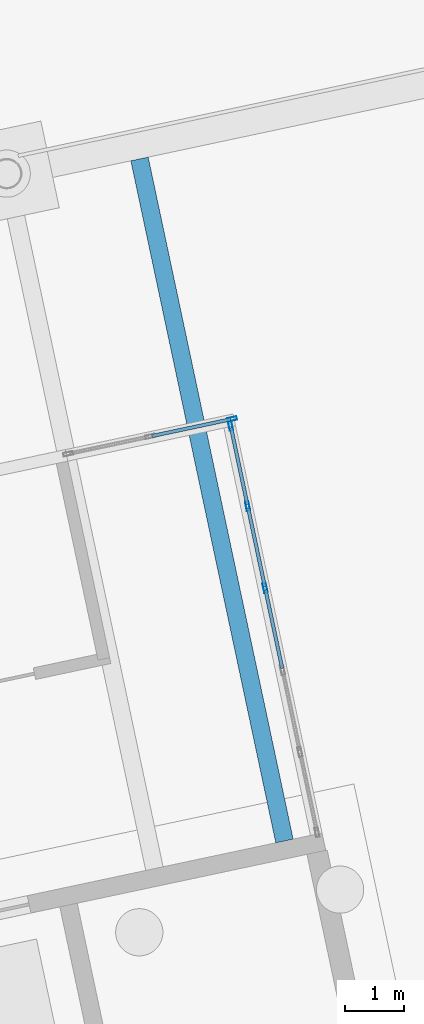
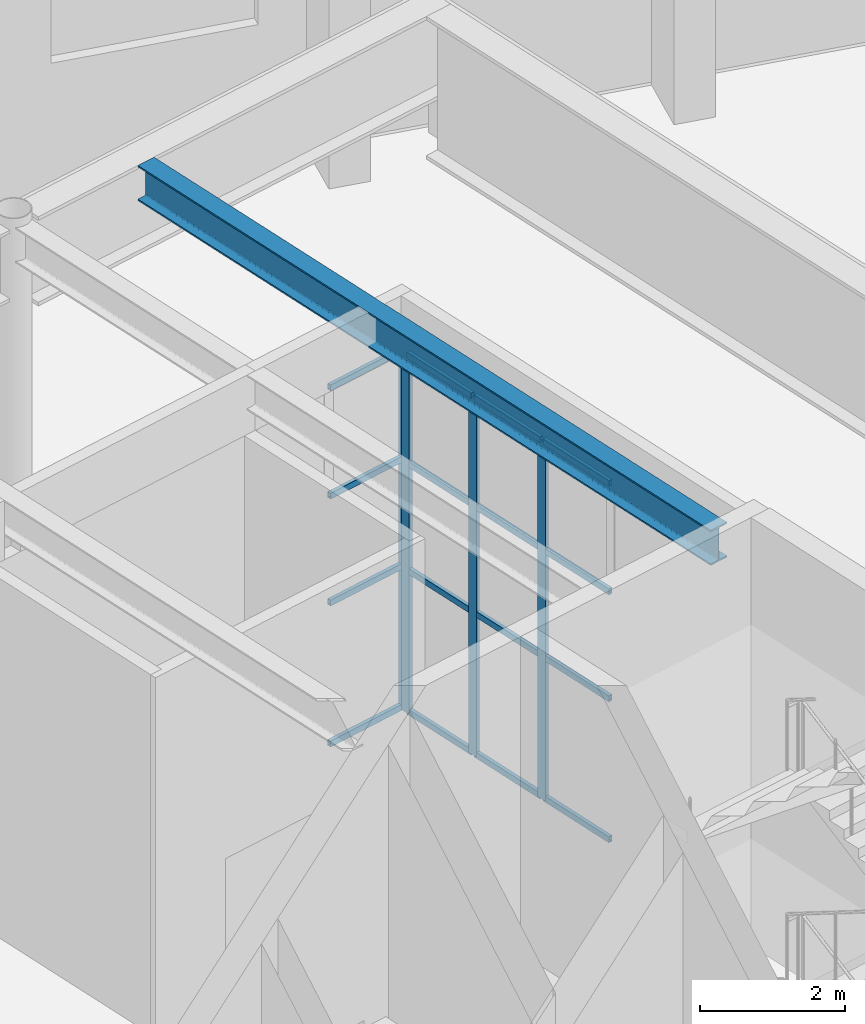
# One storey, part 123 of 239: 20 members, 1 beam, 2 elements without a shape of their own.
"""IFC4 building model written with IfcOpenShell, lengths in metres."""

from ifc_helpers import new_model, si_unit, direction, frame, origin, origin_2d, place, context, subcontext, project, spatial, hollow_rectangle, i_section, extrude, material, material_profile, profile_set, type_object, element, aggregate, save


model = new_model("IFC4")

# Units and contexts
model_context = context("Model", 3, precision=1e-05, world=origin(), true_north=direction((0.0, 1.0)))
body_context = subcontext(model_context, "Body", "Model", "MODEL_VIEW")
ifc_project = project(units=[si_unit("LENGTHUNIT", "METRE"), si_unit("AREAUNIT", "SQUARE_METRE"), si_unit("VOLUMEUNIT", "CUBIC_METRE"), si_unit("PLANEANGLEUNIT", "RADIAN"), si_unit("MASSUNIT", "GRAM", prefix="KILO")], contexts=[model_context])

# Site, building, storey
site_placement = place(None, origin())
site = spatial("IfcSite", under=ifc_project, at=site_placement, CompositionType="ELEMENT")
building_placement = place(site_placement, origin())
building = spatial("IfcBuilding", under=site, at=building_placement, Name="Okhra Congress Centre", CompositionType="ELEMENT")
storey_placement = place(building_placement, origin())
storey = spatial("IfcBuildingStorey", under=building, at=storey_placement, Name="L00", CompositionType="ELEMENT", Elevation=0.0)

# Curtain wall, member
ifc_material_1 = material(Name="Aluminium curtain wall, triple glazing", Category="aluminium")
curtain_wall_type = type_object("IfcCurtainWallType", Name="Curtain wall 1500 module", PredefinedType="NOTDEFINED", material=ifc_material_1)
curtain_wall_1_placement = place(storey_placement, origin())
curtain_wall_1 = element("IfcCurtainWall", 1, at=curtain_wall_1_placement, inside=storey, type_object=curtain_wall_type, Name="Ground curtain wall N11", PredefinedType="NOTDEFINED")
ifc_material_2 = material(Name="Aluminium alloy EN AW-6063 T66", Category="aluminium")
ifc_material_profile_1 = material_profile(ifc_material_2, hollow_rectangle(XDim=0.06005859375, YDim=0.159912109375, WallThickness=0.00390625, at=origin_2d()), Name="RHS 60x160x4")
ifc_profile_set_1 = profile_set([ifc_material_profile_1], Name="Aluminium alloy EN AW-6063 T66")
member_type_1 = type_object("IfcMemberType", Name="Curtain wall mullion 60x160", PredefinedType="MULLION", material=ifc_profile_set_1)
member_1_placement = place(storey_placement, frame((209.494384765625, 77.943115234375, 0.0), z_axis=(0.0, 0.0, 1.0), x_axis=(-0.207911690818, 0.978147600734, 0.0)))
member_1 = element("IfcMember", 2, at=member_1_placement, type_object=member_type_1, Name="CW7 mullion 3", PredefinedType="MULLION", context=body_context, shape_type="SweptSolid", body=[
    extrude(hollow_rectangle(XDim=0.06005859375, YDim=0.159912109375, WallThickness=0.00390625, at=origin_2d()), origin(), (0.0, 0.0, 1.0), 6.050048828125),
])

# Curtain wall, members
curtain_wall_2_placement = place(storey_placement, origin())
curtain_wall_2 = element("IfcCurtainWall", 3, at=curtain_wall_2_placement, inside=storey, type_object=curtain_wall_type, Name="Ground curtain wall E13", PredefinedType="NOTDEFINED")
member_2_placement = place(storey_placement, frame((210.0517578125, 75.080322265625, 0.0), z_axis=(0.0, 0.0, 1.0), x_axis=(-0.978147600734, -0.207911690818, 0.0)))
member_2 = element("IfcMember", 4, at=member_2_placement, type_object=member_type_1, Name="CW7 mullion 4", PredefinedType="MULLION", context=body_context, shape_type="SweptSolid", body=[
    extrude(hollow_rectangle(XDim=0.06005859375, YDim=0.159912109375, WallThickness=0.00390625, at=origin_2d()), origin(), (0.0, 0.0, 1.0), 6.050048828125),
])
member_3_placement = place(storey_placement, frame((209.7568359375, 76.467529296875, 0.0), z_axis=(0.0, 0.0, 1.0), x_axis=(-0.978147600734, -0.207911690818, 0.0)))
member_3 = element("IfcMember", 5, at=member_3_placement, type_object=member_type_1, Name="CW7 mullion 5", PredefinedType="MULLION", context=body_context, shape_type="SweptSolid", body=[
    extrude(hollow_rectangle(XDim=0.06005859375, YDim=0.159912109375, WallThickness=0.00390625, at=origin_2d()), origin(), (0.0, 0.0, 1.0), 6.050048828125),
])
member_4_placement = place(storey_placement, frame((209.46826171875, 77.8251953125, 0.0), z_axis=(0.0, 0.0, 1.0), x_axis=(-0.978147600734, -0.207911690818, 0.0)))
member_4 = element("IfcMember", 6, at=member_4_placement, type_object=member_type_1, Name="CW7 mullion 6", PredefinedType="MULLION", context=body_context, shape_type="SweptSolid", body=[
    extrude(hollow_rectangle(XDim=0.06005859375, YDim=0.159912109375, WallThickness=0.00390625, at=origin_2d()), origin(), (0.0, 0.0, 1.0), 6.050048828125),
])

# Member
ifc_material_profile_2 = material_profile(ifc_material_2, hollow_rectangle(XDim=0.06005859375, YDim=0.10009765625, WallThickness=0.00390625, at=origin_2d()), Name="RHS 60x100x4")
ifc_profile_set_2 = profile_set([ifc_material_profile_2], Name="Aluminium alloy EN AW-6063 T66")
member_type_2 = type_object("IfcMemberType", Name="Curtain wall transom 60x100", PredefinedType="USERDEFINED", material=ifc_profile_set_2)
member_5_placement = place(storey_placement, frame((208.134765625, 77.654052734375, 0.030029296875), z_axis=(0.978155657229, 0.207873784377, 0.0), x_axis=(-0.207873784377, 0.978155657229, 0.0)))
member_5 = element("IfcMember", 7, at=member_5_placement, type_object=member_type_2, Name="CW7 transom 2.1", ObjectType="TRANSOM", PredefinedType="USERDEFINED", context=body_context, shape_type="SweptSolid", body=[
    extrude(hollow_rectangle(XDim=0.06005859375, YDim=0.10009765625, WallThickness=0.00390625, at=origin_2d()), origin(), (0.0, 0.0, 1.0), 1.360107421875),
])

member_6_placement = place(storey_placement, frame((208.134765625, 77.654052734375, 2.39990234375), z_axis=(0.978155657229, 0.207873784377, 0.0), x_axis=(-0.207873784377, 0.978155657229, 0.0)))
member_6 = element("IfcMember", 8, at=member_6_placement, type_object=member_type_2, Name="CW7 transom 2.2", ObjectType="TRANSOM", PredefinedType="USERDEFINED", context=body_context, shape_type="SweptSolid", body=[
    extrude(hollow_rectangle(XDim=0.06005859375, YDim=0.10009765625, WallThickness=0.00390625, at=origin_2d()), origin(), (0.0, 0.0, 1.0), 1.360107421875),
])

member_7_placement = place(storey_placement, frame((208.134765625, 77.654052734375, 4.199951171875), z_axis=(0.978155657229, 0.207873784377, 0.0), x_axis=(-0.207873784377, 0.978155657229, 0.0)))
member_7 = element("IfcMember", 9, at=member_7_placement, type_object=member_type_2, Name="CW7 transom 2.3", ObjectType="TRANSOM", PredefinedType="USERDEFINED", context=body_context, shape_type="SweptSolid", body=[
    extrude(hollow_rectangle(XDim=0.06005859375, YDim=0.10009765625, WallThickness=0.00390625, at=origin_2d()), origin(), (0.0, 0.0, 1.0), 1.360107421875),
])

member_8_placement = place(storey_placement, frame((208.134765625, 77.654052734375, 6.02001953125), z_axis=(0.978155657229, 0.207873784377, 0.0), x_axis=(-0.207873784377, 0.978155657229, 0.0)))
member_8 = element("IfcMember", 10, at=member_8_placement, type_object=member_type_2, Name="CW7 transom 2.4", ObjectType="TRANSOM", PredefinedType="USERDEFINED", context=body_context, shape_type="SweptSolid", body=[
    extrude(hollow_rectangle(XDim=0.06005859375, YDim=0.10009765625, WallThickness=0.00390625, at=origin_2d()), origin(), (0.0, 0.0, 1.0), 1.360107421875),
])

aggregate(curtain_wall_1, [member_1, member_5, member_6, member_7, member_8])

member_9_placement = place(storey_placement, frame((210.34033203125, 73.72265625, 0.030029296875), z_axis=(-0.207822203618, 0.978166617547, 0.0), x_axis=(-0.978166617547, -0.207822203618, 0.0)))
member_9 = element("IfcMember", 11, at=member_9_placement, type_object=member_type_2, Name="CW7 transom 3.1", ObjectType="TRANSOM", PredefinedType="USERDEFINED", context=body_context, shape_type="SweptSolid", body=[
    extrude(hollow_rectangle(XDim=0.06005859375, YDim=0.10009765625, WallThickness=0.00390625, at=origin_2d()), origin(), (0.0, 0.0, 1.0), 1.35791015625),
])

member_10_placement = place(storey_placement, frame((210.34033203125, 73.72265625, 2.39990234375), z_axis=(-0.207822203618, 0.978166617547, 0.0), x_axis=(-0.978166617547, -0.207822203618, 0.0)))
member_10 = element("IfcMember", 12, at=member_10_placement, type_object=member_type_2, Name="CW7 transom 3.2", ObjectType="TRANSOM", PredefinedType="USERDEFINED", context=body_context, shape_type="SweptSolid", body=[
    extrude(hollow_rectangle(XDim=0.06005859375, YDim=0.10009765625, WallThickness=0.00390625, at=origin_2d()), origin(), (0.0, 0.0, 1.0), 1.35791015625),
])

member_11_placement = place(storey_placement, frame((210.34033203125, 73.72265625, 4.199951171875), z_axis=(-0.207822203618, 0.978166617547, 0.0), x_axis=(-0.978166617547, -0.207822203618, 0.0)))
member_11 = element("IfcMember", 13, at=member_11_placement, type_object=member_type_2, Name="CW7 transom 3.3", ObjectType="TRANSOM", PredefinedType="USERDEFINED", context=body_context, shape_type="SweptSolid", body=[
    extrude(hollow_rectangle(XDim=0.06005859375, YDim=0.10009765625, WallThickness=0.00390625, at=origin_2d()), origin(), (0.0, 0.0, 1.0), 1.35791015625),
])

member_12_placement = place(storey_placement, frame((210.34033203125, 73.72265625, 6.02001953125), z_axis=(-0.207822203618, 0.978166617547, 0.0), x_axis=(-0.978166617547, -0.207822203618, 0.0)))
member_12 = element("IfcMember", 14, at=member_12_placement, type_object=member_type_2, Name="CW7 transom 3.4", ObjectType="TRANSOM", PredefinedType="USERDEFINED", context=body_context, shape_type="SweptSolid", body=[
    extrude(hollow_rectangle(XDim=0.06005859375, YDim=0.10009765625, WallThickness=0.00390625, at=origin_2d()), origin(), (0.0, 0.0, 1.0), 1.35791015625),
])

member_13_placement = place(storey_placement, frame((210.04541015625, 75.109619140625, 0.030029296875), z_axis=(-0.207822203618, 0.978166617547, 0.0), x_axis=(-0.978166617547, -0.207822203618, 0.0)))
member_13 = element("IfcMember", 15, at=member_13_placement, type_object=member_type_2, Name="CW7 transom 4.1", ObjectType="TRANSOM", PredefinedType="USERDEFINED", context=body_context, shape_type="SweptSolid", body=[
    extrude(hollow_rectangle(XDim=0.06005859375, YDim=0.10009765625, WallThickness=0.00390625, at=origin_2d()), origin(), (0.0, 0.0, 1.0), 1.35791015625),
])

member_14_placement = place(storey_placement, frame((210.04541015625, 75.109619140625, 2.39990234375), z_axis=(-0.207822203618, 0.978166617547, 0.0), x_axis=(-0.978166617547, -0.207822203618, 0.0)))
member_14 = element("IfcMember", 16, at=member_14_placement, type_object=member_type_2, Name="CW7 transom 4.2", ObjectType="TRANSOM", PredefinedType="USERDEFINED", context=body_context, shape_type="SweptSolid", body=[
    extrude(hollow_rectangle(XDim=0.06005859375, YDim=0.10009765625, WallThickness=0.00390625, at=origin_2d()), origin(), (0.0, 0.0, 1.0), 1.35791015625),
])

member_15_placement = place(storey_placement, frame((210.04541015625, 75.109619140625, 4.199951171875), z_axis=(-0.207822203618, 0.978166617547, 0.0), x_axis=(-0.978166617547, -0.207822203618, 0.0)))
member_15 = element("IfcMember", 17, at=member_15_placement, type_object=member_type_2, Name="CW7 transom 4.3", ObjectType="TRANSOM", PredefinedType="USERDEFINED", context=body_context, shape_type="SweptSolid", body=[
    extrude(hollow_rectangle(XDim=0.06005859375, YDim=0.10009765625, WallThickness=0.00390625, at=origin_2d()), origin(), (0.0, 0.0, 1.0), 1.35791015625),
])

member_16_placement = place(storey_placement, frame((210.04541015625, 75.109619140625, 6.02001953125), z_axis=(-0.207822203618, 0.978166617547, 0.0), x_axis=(-0.978166617547, -0.207822203618, 0.0)))
member_16 = element("IfcMember", 18, at=member_16_placement, type_object=member_type_2, Name="CW7 transom 4.4", ObjectType="TRANSOM", PredefinedType="USERDEFINED", context=body_context, shape_type="SweptSolid", body=[
    extrude(hollow_rectangle(XDim=0.06005859375, YDim=0.10009765625, WallThickness=0.00390625, at=origin_2d()), origin(), (0.0, 0.0, 1.0), 1.35791015625),
])

member_17_placement = place(storey_placement, frame((209.750732421875, 76.496826171875, 0.030029296875), z_axis=(-0.207946713566, 0.978140155764, 0.0), x_axis=(-0.978140155764, -0.207946713566, 0.0)))
member_17 = element("IfcMember", 19, at=member_17_placement, type_object=member_type_2, Name="CW7 transom 5.1", ObjectType="TRANSOM", PredefinedType="USERDEFINED", context=body_context, shape_type="SweptSolid", body=[
    extrude(hollow_rectangle(XDim=0.06005859375, YDim=0.10009765625, WallThickness=0.00390625, at=origin_2d()), origin(), (0.0, 0.0, 1.0), 1.327880859375),
])

member_18_placement = place(storey_placement, frame((209.750732421875, 76.496826171875, 2.39990234375), z_axis=(-0.207946713566, 0.978140155764, 0.0), x_axis=(-0.978140155764, -0.207946713566, 0.0)))
member_18 = element("IfcMember", 20, at=member_18_placement, type_object=member_type_2, Name="CW7 transom 5.2", ObjectType="TRANSOM", PredefinedType="USERDEFINED", context=body_context, shape_type="SweptSolid", body=[
    extrude(hollow_rectangle(XDim=0.06005859375, YDim=0.10009765625, WallThickness=0.00390625, at=origin_2d()), origin(), (0.0, 0.0, 1.0), 1.327880859375),
])

member_19_placement = place(storey_placement, frame((209.750732421875, 76.496826171875, 4.199951171875), z_axis=(-0.207946713566, 0.978140155764, 0.0), x_axis=(-0.978140155764, -0.207946713566, 0.0)))
member_19 = element("IfcMember", 21, at=member_19_placement, type_object=member_type_2, Name="CW7 transom 5.3", ObjectType="TRANSOM", PredefinedType="USERDEFINED", context=body_context, shape_type="SweptSolid", body=[
    extrude(hollow_rectangle(XDim=0.06005859375, YDim=0.10009765625, WallThickness=0.00390625, at=origin_2d()), origin(), (0.0, 0.0, 1.0), 1.327880859375),
])

member_20_placement = place(storey_placement, frame((209.750732421875, 76.496826171875, 6.02001953125), z_axis=(-0.207946713566, 0.978140155764, 0.0), x_axis=(-0.978140155764, -0.207946713566, 0.0)))
member_20 = element("IfcMember", 22, at=member_20_placement, type_object=member_type_2, Name="CW7 transom 5.4", ObjectType="TRANSOM", PredefinedType="USERDEFINED", context=body_context, shape_type="SweptSolid", body=[
    extrude(hollow_rectangle(XDim=0.06005859375, YDim=0.10009765625, WallThickness=0.00390625, at=origin_2d()), origin(), (0.0, 0.0, 1.0), 1.327880859375),
])

aggregate(curtain_wall_2, [member_2, member_3, member_4, member_9, member_10, member_11, member_12, member_13, member_14, member_15, member_16, member_17, member_18, member_19, member_20])

# Beam
ifc_material_3 = material(Name="Steel S355J2", Category="steel")
ifc_material_profile_3 = material_profile(ifc_material_3, i_section(OverallWidth=0.300048828125, OverallDepth=0.590087890625, WebThickness=0.012939453125, FlangeThickness=0.02490234375, FilletRadius=0.027099609375, at=origin_2d()), Name="HE 600 A")
ifc_profile_set_3 = profile_set([ifc_material_profile_3], Name="Steel S355J2")
beam_type = type_object("IfcBeamType", Name="Floor beam HE 600 A", PredefinedType="BEAM", material=ifc_profile_set_3)
beam_placement = place(storey_placement, frame((210.378662109375, 70.80078125, 6.7548828125), z_axis=(-0.207910966979, 0.97814775459, 0.0), x_axis=(-0.97814775459, -0.207910966979, 0.0)))
element("IfcBeam", 23, at=beam_placement, inside=storey, type_object=beam_type, Name="Floor beam 35.2", PredefinedType="BEAM", context=body_context, shape_type="SweptSolid", body=[
    extrude(i_section(OverallWidth=0.300048828125, OverallDepth=0.590087890625, WebThickness=0.012939453125, FlangeThickness=0.02490234375, FilletRadius=0.027099609375, at=origin_2d()), origin(), (0.0, 0.0, 1.0), 11.800048828125),
])

save(model, "model.ifc")
